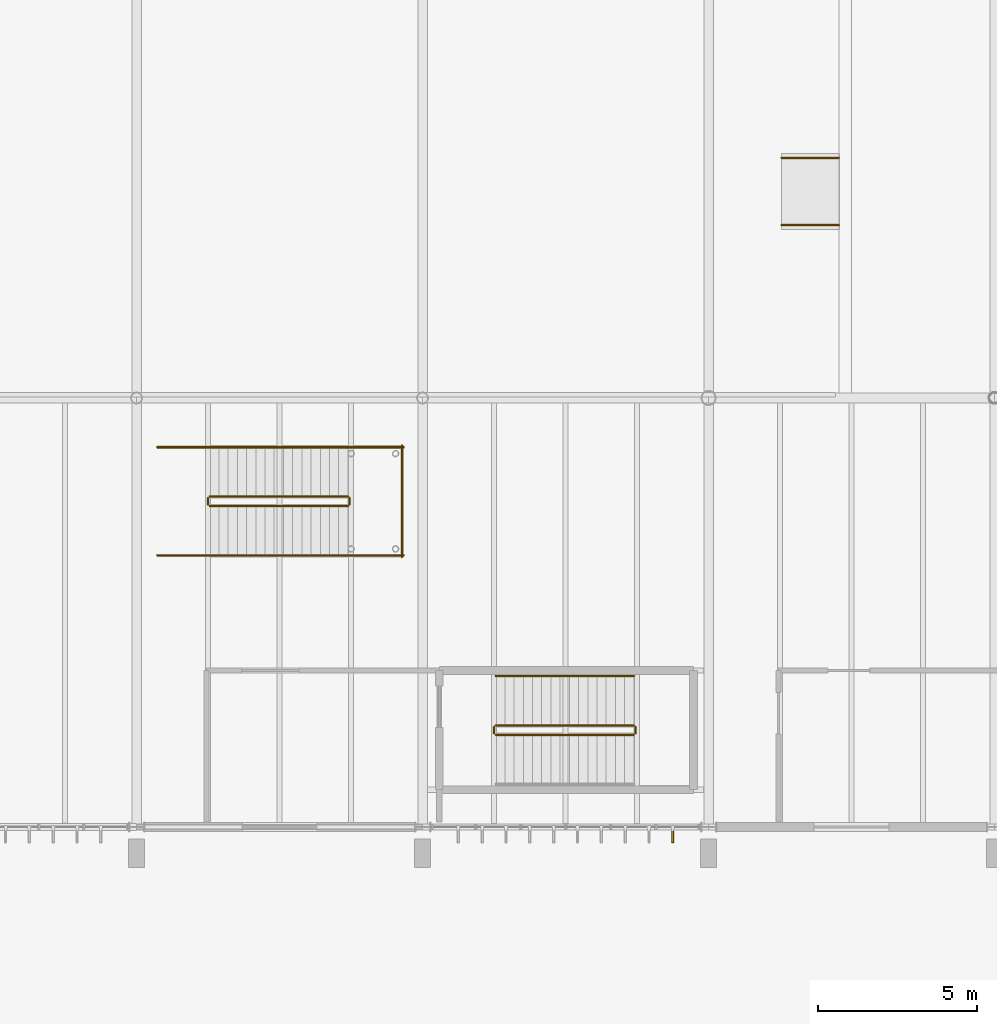
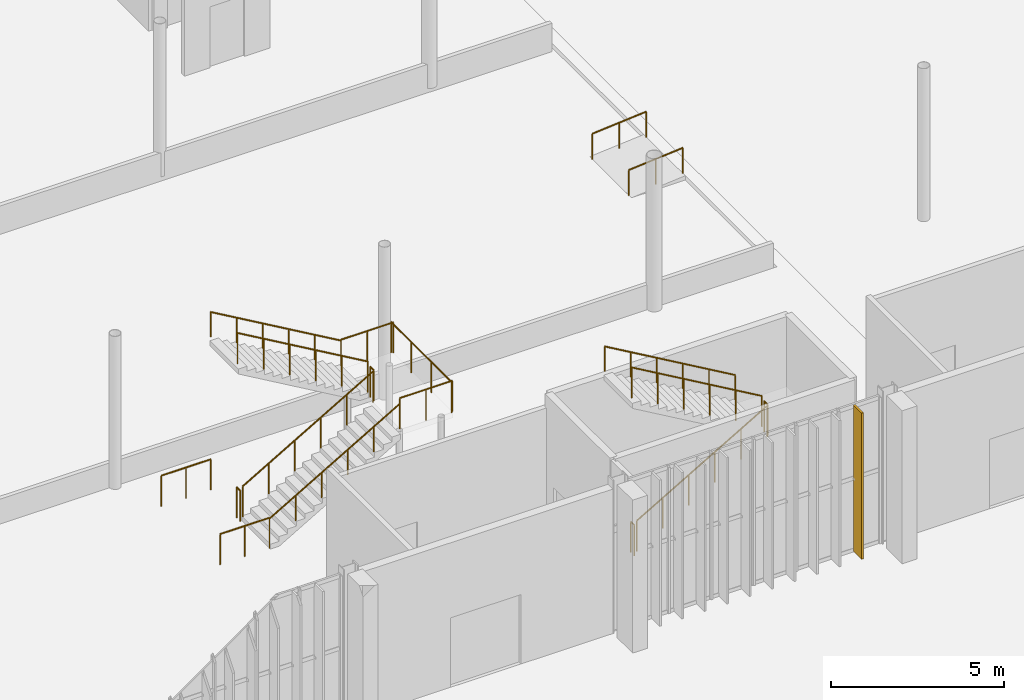
# One storey, part 142 of 158: 18 railings, 1 covering, 1 element without a shape of its own.
"""IFC4 building model written with IfcOpenShell, lengths in metres."""

import ifcopenshell
import ifcopenshell.guid

model = None  # the IFC model being written
_history = None  # IfcOwnerHistory: only IFC2X3 demands one
_inside = {}  # id of a spatial element -> (the spatial element, [elements in it])
_under = {}  # id of a project, library or spatial element -> (it, [spatial elements below it])
_declared = {}  # id of a project -> (the project, [libraries it declares])
_typed = {}  # id of a type object -> (the type object, [elements of that type])
_made_of = {}  # id of a material, layer set ... -> (it, [elements and type objects made of it])


def new_model(schema):
    """Start an empty IFC model of exactly this schema.

    Asked for "IFC4X3", IfcOpenShell would pick the latest addendum, in which some entities
    have other attributes; the version numbers below select the first issue.
    IFC2X3 requires an IfcOwnerHistory on every rooted entity: one is made here for all.
    """
    global model, _history
    if schema == "IFC4X3":
        model = ifcopenshell.file(schema_version=(4, 3, 0, 0))
    else:
        model = ifcopenshell.file(schema=schema)
    _inside.clear()
    _under.clear()
    _declared.clear()
    _typed.clear()
    _made_of.clear()
    _history = None
    if model.schema == "IFC2X3":
        org = make("IfcOrganization", Name="unknown")
        user = make(
            "IfcPersonAndOrganization",
            ThePerson=make("IfcPerson", FamilyName="unknown"),
            TheOrganization=org,
        )
        app = make(
            "IfcApplication",
            ApplicationDeveloper=org,
            Version="unknown",
            ApplicationFullName="unknown",
            ApplicationIdentifier="unknown",
        )
        _history = make(
            "IfcOwnerHistory",
            OwningUser=user,
            OwningApplication=app,
            ChangeAction="ADDED",
            CreationDate=0,
        )
    return model


def make(cls, **values):
    """One entity of the class cls with the attributes given. An attribute that is None is left unset."""
    return model.create_entity(
        cls, **{name: value for name, value in values.items() if value is not None}
    )


def rooted(cls, **values):
    """An entity with a GlobalId (a new one), such as an element, a storey or a relation."""
    return make(cls, GlobalId=ifcopenshell.guid.new(), OwnerHistory=_history, **values)


def si_unit(unit_type, name, prefix=None):
    """IfcSIUnit, for example si_unit("LENGTHUNIT", "METRE", prefix="MILLI")."""
    return make("IfcSIUnit", UnitType=unit_type, Prefix=prefix, Name=name)


def derived_unit(unit_type, elements):
    """IfcDerivedUnit: a product of units, each with its exponent."""
    return make(
        "IfcDerivedUnit",
        Elements=[
            make("IfcDerivedUnitElement", Unit=unit, Exponent=power)
            for unit, power in elements
        ],
        UnitType=unit_type,
    )


def assignment(units):
    """IfcUnitAssignment: the units of a project."""
    return None if units is None else make("IfcUnitAssignment", Units=units)


def point(xyz):
    """IfcCartesianPoint."""
    return None if xyz is None else make("IfcCartesianPoint", Coordinates=xyz)


def direction(xyz):
    """IfcDirection."""
    return None if xyz is None else make("IfcDirection", DirectionRatios=xyz)


def frame(location, z_axis=None, x_axis=None):
    """IfcAxis2Placement3D, a coordinate frame: its origin and axes. An axis left out is left unset."""
    return make(
        "IfcAxis2Placement3D",
        Location=point(location),
        Axis=direction(z_axis),
        RefDirection=direction(x_axis),
    )


def frame_2d(location, x_axis=None):
    """IfcAxis2Placement2D, a coordinate frame in the plane: its origin and x axis."""
    return make(
        "IfcAxis2Placement2D", Location=point(location), RefDirection=direction(x_axis)
    )


def origin():
    """The frame at (0, 0, 0) with its axes left unset."""
    return frame((0.0, 0.0, 0.0))


def origin_2d():
    """The frame at (0, 0) in the plane with its x axis left unset."""
    return frame_2d((0.0, 0.0))


def place(relative_to, where):
    """IfcLocalPlacement: puts the frame where relative to a parent placement (None: the world)."""
    return make(
        "IfcLocalPlacement", PlacementRelTo=relative_to, RelativePlacement=where
    )


def context(
    kind, dimensions, precision=None, world=None, true_north=None, identifier=None
):
    """IfcGeometricRepresentationContext, for example the 3D "Model" context."""
    return make(
        "IfcGeometricRepresentationContext",
        ContextIdentifier=identifier,
        ContextType=kind,
        CoordinateSpaceDimension=dimensions,
        Precision=precision,
        WorldCoordinateSystem=world,
        TrueNorth=true_north,
    )


def subcontext(parent, identifier, kind, view, scale=None):
    """IfcGeometricRepresentationSubContext, for example "Body" below "Model"."""
    return make(
        "IfcGeometricRepresentationSubContext",
        ContextIdentifier=identifier,
        ContextType=kind,
        ParentContext=parent,
        TargetScale=scale,
        TargetView=view,
    )


def project(units=None, contexts=None):
    """IfcProject with its units and contexts."""
    return rooted(
        "IfcProject",
        Name="project",
        RepresentationContexts=contexts,
        UnitsInContext=assignment(units),
    )


def spatial(cls, under=None, at=None, **own):
    """A site, building, storey or space (cls), placed at a placement, below another one or the project."""
    s = rooted(cls, ObjectPlacement=at, **own)
    if under is not None:
        _under.setdefault(under.id(), (under, []))[1].append(s)
    return s


def profile(cls, at=None, kind="AREA", **sizes):
    """A parametric profile (cls). Its sizes go by their IFC names, for example OverallWidth=200.0."""
    return make(cls, ProfileType=kind, Position=at, **sizes)


def rectangle(**sizes):
    """IfcRectangleProfileDef."""
    return profile("IfcRectangleProfileDef", **sizes)


def circle(**sizes):
    """IfcCircleProfileDef."""
    return profile("IfcCircleProfileDef", **sizes)


def extrude(swept, where, along, depth):
    """IfcExtrudedAreaSolid: the profile swept, set in the frame where, extruded along a direction by depth."""
    return make(
        "IfcExtrudedAreaSolid",
        SweptArea=swept,
        Position=where,
        ExtrudedDirection=direction(along),
        Depth=depth,
    )


def shape(context_of_items, identifier, shape_type, items):
    """IfcShapeRepresentation: the items that make up one representation, for example the "Body"."""
    return make(
        "IfcShapeRepresentation",
        ContextOfItems=context_of_items,
        RepresentationIdentifier=identifier,
        RepresentationType=shape_type,
        Items=items,
    )


def material(Name=None, Category=None):
    """IfcMaterial."""
    return make("IfcMaterial", Name=Name, Category=Category)


def layer(
    of_material, thickness, ventilated=None, Name=None, Category=None, Priority=None
):
    """IfcMaterialLayer: one layer of a wall or slab, of a material (None: an air gap)."""
    return make(
        "IfcMaterialLayer",
        Material=of_material,
        LayerThickness=thickness,
        IsVentilated=ventilated,
        Name=Name,
        Category=Category,
        Priority=Priority,
    )


def layer_set(layers, Name=None):
    """IfcMaterialLayerSet."""
    return make("IfcMaterialLayerSet", MaterialLayers=layers, LayerSetName=Name)


def made_of(thing, what):
    """Note that an element or type object is made of a material, layer set ...; save() writes the relation."""
    if what is not None:
        _made_of.setdefault(what.id(), (what, []))[1].append(thing)
    return thing


def type_object(cls, material=None, **own):
    """A type object (cls), such as IfcWallType, which elements share."""
    return made_of(rooted(cls, **own), material)


def element(
    cls,
    number,
    at=None,
    inside=None,
    cuts=None,
    type_object=None,
    material=None,
    context=None,
    identifier="Body",
    shape_type=None,
    held_by="IfcProductDefinitionShape",
    body=None,
    shapes=None,
    **own,
):
    """One element of the class cls, such as IfcWall. Its Tag is "e" and its number.

    at: its placement. inside: the storey or other place that contains it. cuts: it is an
    opening in that element (IfcRelVoidsElement). A single representation is given by context,
    identifier, shape_type and body (its items); several are given by shapes. held_by: the class
    of the entity that holds the representations. save() writes the other relations.
    """
    e = rooted(cls, Tag="e%d" % number, ObjectPlacement=at, **own)
    if body is not None:
        shapes = [shape(context, identifier, shape_type, body)]
    if shapes is not None:
        e.Representation = make(held_by, Representations=shapes)
    if inside is not None:
        _inside.setdefault(inside.id(), (inside, []))[1].append(e)
    if cuts is not None:
        rooted(
            "IfcRelVoidsElement", RelatingBuildingElement=cuts, RelatedOpeningElement=e
        )
    if type_object is not None:
        _typed.setdefault(type_object.id(), (type_object, []))[1].append(e)
    return made_of(e, material)


def aggregate(whole, parts):
    """IfcRelAggregates: a whole, such as a stair, and the parts it consists of."""
    return rooted("IfcRelAggregates", RelatingObject=whole, RelatedObjects=parts)


def save(model, path):
    """Write the relations noted so far, then the file.

    IfcRelAggregates (storeys below a building ...), IfcRelContainedInSpatialStructure (elements
    in a storey), IfcRelDefinesByType, IfcRelAssociatesMaterial and IfcRelDeclares: one each for
    every whole, place, type object, material and project.
    """
    for whole, parts in _under.values():
        aggregate(whole, parts)
    for where, things in _inside.values():
        rooted(
            "IfcRelContainedInSpatialStructure",
            RelatedElements=things,
            RelatingStructure=where,
        )
    for kind, things in _typed.values():
        rooted("IfcRelDefinesByType", RelatedObjects=things, RelatingType=kind)
    for what, things in _made_of.values():
        rooted("IfcRelAssociatesMaterial", RelatedObjects=things, RelatingMaterial=what)
    for by, libraries in _declared.values():
        rooted("IfcRelDeclares", RelatingContext=by, RelatedDefinitions=libraries)
    model.write(path)


model = new_model("IFC4")

# Units and contexts
model_context = context("Model", 3, precision=1e-05, world=origin(), true_north=direction((0.0, 1.0)))
body_context = subcontext(model_context, "Body", "Model", "MODEL_VIEW")
ifc_project = project(units=[si_unit("LENGTHUNIT", "METRE"), si_unit("AREAUNIT", "SQUARE_METRE"), si_unit("VOLUMEUNIT", "CUBIC_METRE"), si_unit("PLANEANGLEUNIT", "RADIAN"), si_unit("MASSUNIT", "GRAM", prefix="KILO"), si_unit("THERMODYNAMICTEMPERATUREUNIT", "KELVIN"), si_unit("TIMEUNIT", "SECOND"), derived_unit("THERMALTRANSMITTANCEUNIT", [(si_unit("MASSUNIT", "GRAM", prefix="KILO"), 1), (si_unit("THERMODYNAMICTEMPERATUREUNIT", "KELVIN"), -1), (si_unit("TIMEUNIT", "SECOND"), -3)])], contexts=[model_context])

# Site, building, storey
site_placement = place(None, origin())
site = spatial("IfcSite", under=ifc_project, at=site_placement, CompositionType="ELEMENT")
building_placement = place(site_placement, origin())
building = spatial("IfcBuilding", under=site, at=building_placement, Name="Cambertide Market Hall", CompositionType="ELEMENT")
storey_placement = place(building_placement, origin())
storey = spatial("IfcBuildingStorey", under=building, at=storey_placement, Name="L01", CompositionType="ELEMENT", Elevation=0.0)

# Ramp, railings
ifc_material_1 = material(Name="Concrete B35", Category="concrete")
ramp_type = type_object("IfcRampType", Name="Interior Wet-Market Washdown Ramp", PredefinedType="STRAIGHT_RUN_RAMP", material=ifc_material_1)
ramp_placement = place(storey_placement, origin())
ramp = element("IfcRamp", 1, at=ramp_placement, inside=storey, type_object=ramp_type, Name="Wet Market Washdown Recess Accessible Ramp PR-05", PredefinedType="STRAIGHT_RUN_RAMP")
ifc_material_2 = material(Name="Stainless Steel Grade 316", Category="metal")
railing_type_1 = type_object("IfcRailingType", Name="Interior Ramp Handrail 920", PredefinedType="HANDRAIL", material=ifc_material_2)
railing_1_placement = place(storey_placement, frame((71.300048828125, 70.944091796875, -0.14990234375)))
railing_1 = element("IfcRailing", 2, at=railing_1_placement, type_object=railing_type_1, Name="Wet Market Washdown Recess Accessible Ramp PR-05 Handrail 1", PredefinedType="HANDRAIL", context=body_context, shape_type="SweptSolid", body=[
    extrude(circle(Radius=0.02392578125, at=origin_2d()), frame((0.0, 0.0, 0.89599609375), z_axis=(0.996550417439, 0.0, 0.082989550564), x_axis=(0.0, 1.0, 0.0)), (0.0, 0.0, 1.0), 1.806396484375),
    extrude(circle(Radius=0.02099609375, at=origin_2d()), origin(), (0.0, 0.0, 1.0), 0.871826171875),
    extrude(circle(Radius=0.02099609375, at=origin_2d()), frame((0.89990234375, 0.0, 0.074951171875)), (0.0, 0.0, 1.0), 0.871826171875),
    extrude(circle(Radius=0.02099609375, at=origin_2d()), frame((1.800048828125, 0.0, 0.14990234375)), (0.0, 0.0, 1.0), 0.871826171875),
])
railing_2_placement = place(storey_placement, frame((71.300048828125, 73.055908203125, -0.14990234375)))
railing_2 = element("IfcRailing", 3, at=railing_2_placement, type_object=railing_type_1, Name="Wet Market Washdown Recess Accessible Ramp PR-05 Handrail 2", PredefinedType="HANDRAIL", context=body_context, shape_type="SweptSolid", body=[
    extrude(circle(Radius=0.02392578125, at=origin_2d()), frame((0.0, 0.0, 0.89599609375), z_axis=(0.996550417439, 0.0, 0.082989550564), x_axis=(0.0, 1.0, 0.0)), (0.0, 0.0, 1.0), 1.806396484375),
    extrude(circle(Radius=0.02099609375, at=origin_2d()), origin(), (0.0, 0.0, 1.0), 0.871826171875),
    extrude(circle(Radius=0.02099609375, at=origin_2d()), frame((0.89990234375, 0.0, 0.074951171875)), (0.0, 0.0, 1.0), 0.871826171875),
    extrude(circle(Radius=0.02099609375, at=origin_2d()), frame((1.800048828125, 0.0, 0.14990234375)), (0.0, 0.0, 1.0), 0.871826171875),
])
aggregate(ramp, [railing_1, railing_2])

# Railings
ifc_material_3 = material(Name="Stainless Steel Grade 316", Category="metal")
railing_type_2 = type_object("IfcRailingType", Name="Stair Wall Handrail 900", PredefinedType="HANDRAIL", material=ifc_material_3)
railing_3_placement = place(storey_placement, frame((66.64990234375, 56.75, 2.86865234375)))
element("IfcRailing", 4, at=railing_3_placement, inside=storey, type_object=railing_type_2, Name="Level 1 ST-02 stair handrail 2", PredefinedType="HANDRAIL", context=body_context, shape_type="SweptSolid", body=[
    extrude(circle(Radius=0.02392578125, at=origin_2d()), frame((0.0, 0.0, 0.8759765625), z_axis=(-0.864311530196, 0.0, 0.502956835891), x_axis=(0.0, -1.0, 0.0)), (0.0, 0.0, 1.0), 5.03271484375),
    extrude(circle(Radius=0.02099609375, at=origin_2d()), origin(), (0.0, 0.0, 1.0), 0.851806640625),
    extrude(circle(Radius=0.02099609375, at=origin_2d()), frame((-0.869873046875, 0.0, 0.50634765625)), (0.0, 0.0, 1.0), 0.851806640625),
    extrude(circle(Radius=0.02099609375, at=origin_2d()), frame((-1.739990234375, 0.0, 1.012451171875)), (0.0, 0.0, 1.0), 0.851806640625),
    extrude(circle(Radius=0.02099609375, at=origin_2d()), frame((-2.60986328125, 0.0, 1.518798828125)), (0.0, 0.0, 1.0), 0.851806640625),
    extrude(circle(Radius=0.02099609375, at=origin_2d()), frame((-3.47998046875, 0.0, 2.02490234375)), (0.0, 0.0, 1.0), 0.851806640625),
    extrude(circle(Radius=0.02099609375, at=origin_2d()), frame((-4.349853515625, 0.0, 2.53125)), (0.0, 0.0, 1.0), 0.851806640625),
])
railing_4_placement = place(storey_placement, frame((53.300048828125, 60.550048828125, 0.168701171875)))
element("IfcRailing", 5, at=railing_4_placement, inside=storey, type_object=railing_type_2, Name="Level 1 ST-10 stair handrail 1", PredefinedType="HANDRAIL", context=body_context, shape_type="SweptSolid", body=[
    extrude(circle(Radius=0.02392578125, at=origin_2d()), frame((0.0, 0.0, 0.8759765625), z_axis=(0.864311530196, 0.0, 0.502956835891), x_axis=(0.0, 1.0, 0.0)), (0.0, 0.0, 1.0), 5.03271484375),
    extrude(circle(Radius=0.02099609375, at=origin_2d()), origin(), (0.0, 0.0, 1.0), 0.851806640625),
    extrude(circle(Radius=0.02099609375, at=origin_2d()), frame((0.869873046875, 0.0, 0.50634765625)), (0.0, 0.0, 1.0), 0.851806640625),
    extrude(circle(Radius=0.02099609375, at=origin_2d()), frame((1.739990234375, 0.0, 1.012451171875)), (0.0, 0.0, 1.0), 0.851806640625),
    extrude(circle(Radius=0.02099609375, at=origin_2d()), frame((2.60986328125, 0.0, 1.518798828125)), (0.0, 0.0, 1.0), 0.851806640625),
    extrude(circle(Radius=0.02099609375, at=origin_2d()), frame((3.47998046875, 0.0, 2.02490234375)), (0.0, 0.0, 1.0), 0.851806640625),
    extrude(circle(Radius=0.02099609375, at=origin_2d()), frame((4.349853515625, 0.0, 2.53125)), (0.0, 0.0, 1.0), 0.851806640625),
])
railing_5_placement = place(storey_placement, frame((57.64990234375, 63.949951171875, 2.86865234375)))
element("IfcRailing", 6, at=railing_5_placement, inside=storey, type_object=railing_type_2, Name="Level 1 ST-10 stair handrail 2", PredefinedType="HANDRAIL", context=body_context, shape_type="SweptSolid", body=[
    extrude(circle(Radius=0.02392578125, at=origin_2d()), frame((0.0, 0.0, 0.8759765625), z_axis=(-0.864311530196, 0.0, 0.502956835891), x_axis=(0.0, -1.0, 0.0)), (0.0, 0.0, 1.0), 5.03271484375),
    extrude(circle(Radius=0.02099609375, at=origin_2d()), origin(), (0.0, 0.0, 1.0), 0.851806640625),
    extrude(circle(Radius=0.02099609375, at=origin_2d()), frame((-0.869873046875, 0.0, 0.50634765625)), (0.0, 0.0, 1.0), 0.851806640625),
    extrude(circle(Radius=0.02099609375, at=origin_2d()), frame((-1.739990234375, 0.0, 1.012451171875)), (0.0, 0.0, 1.0), 0.851806640625),
    extrude(circle(Radius=0.02099609375, at=origin_2d()), frame((-2.60986328125, 0.0, 1.518798828125)), (0.0, 0.0, 1.0), 0.851806640625),
    extrude(circle(Radius=0.02099609375, at=origin_2d()), frame((-3.47998046875, 0.0, 2.02490234375)), (0.0, 0.0, 1.0), 0.851806640625),
    extrude(circle(Radius=0.02099609375, at=origin_2d()), frame((-4.349853515625, 0.0, 2.53125)), (0.0, 0.0, 1.0), 0.851806640625),
])
ifc_material_4 = material(Name="Stainless Steel Grade 316", Category="metal")
railing_type_3 = type_object("IfcRailingType", Name="Stairwell Inner Guardrail 1100", PredefinedType="GUARDRAIL", material=ifc_material_4)
railing_6_placement = place(storey_placement, frame((62.300048828125, 54.89990234375, 0.168701171875)))
element("IfcRailing", 7, at=railing_6_placement, inside=storey, type_object=railing_type_3, Name="Level 1 ST-02 stair guard 1", PredefinedType="GUARDRAIL", context=body_context, shape_type="SweptSolid", body=[
    extrude(circle(Radius=0.02392578125, at=origin_2d()), frame((0.0, 0.0, 1.076171875), z_axis=(0.864311530196, 0.0, 0.502956835891), x_axis=(0.0, 1.0, 0.0)), (0.0, 0.0, 1.0), 5.03271484375),
    extrude(circle(Radius=0.02099609375, at=origin_2d()), origin(), (0.0, 0.0, 1.0), 1.052001953125),
    extrude(circle(Radius=0.02099609375, at=origin_2d()), frame((0.869873046875, 0.0, 0.50634765625)), (0.0, 0.0, 1.0), 1.052001953125),
    extrude(circle(Radius=0.02099609375, at=origin_2d()), frame((1.739990234375, 0.0, 1.012451171875)), (0.0, 0.0, 1.0), 1.052001953125),
    extrude(circle(Radius=0.02099609375, at=origin_2d()), frame((2.60986328125, 0.0, 1.518798828125)), (0.0, 0.0, 1.0), 1.052001953125),
    extrude(circle(Radius=0.02099609375, at=origin_2d()), frame((3.47998046875, 0.0, 2.02490234375)), (0.0, 0.0, 1.0), 1.052001953125),
    extrude(circle(Radius=0.02099609375, at=origin_2d()), frame((4.349853515625, 0.0, 2.53125)), (0.0, 0.0, 1.0), 1.052001953125),
])
railing_7_placement = place(storey_placement, frame((66.699951171875, 54.949951171875, 2.699951171875)))
element("IfcRailing", 8, at=railing_7_placement, inside=storey, type_object=railing_type_3, Name="Level 1 ST-02 stair guard 2", PredefinedType="GUARDRAIL", context=body_context, shape_type="SweptSolid", body=[
    extrude(circle(Radius=0.02392578125, at=origin_2d()), frame((0.0, 0.0, 1.076171875), z_axis=(0.0, 1.0, 0.0), x_axis=(-1.0, 0.0, 0.0)), (0.0, 0.0, 1.0), 0.199951171875),
    extrude(circle(Radius=0.02099609375, at=origin_2d()), origin(), (0.0, 0.0, 1.0), 1.052001953125),
    extrude(circle(Radius=0.02099609375, at=origin_2d()), frame((0.0, 0.199951171875, 0.0)), (0.0, 0.0, 1.0), 1.052001953125),
])
railing_8_placement = place(storey_placement, frame((66.64990234375, 55.199951171875, 2.86865234375)))
element("IfcRailing", 9, at=railing_8_placement, inside=storey, type_object=railing_type_3, Name="Level 1 ST-02 stair guard 3", PredefinedType="GUARDRAIL", context=body_context, shape_type="SweptSolid", body=[
    extrude(circle(Radius=0.02392578125, at=origin_2d()), frame((0.0, 0.0, 1.076171875), z_axis=(-0.864311530196, 0.0, 0.502956835891), x_axis=(0.0, -1.0, 0.0)), (0.0, 0.0, 1.0), 5.03271484375),
    extrude(circle(Radius=0.02099609375, at=origin_2d()), origin(), (0.0, 0.0, 1.0), 1.052001953125),
    extrude(circle(Radius=0.02099609375, at=origin_2d()), frame((-0.869873046875, 0.0, 0.50634765625)), (0.0, 0.0, 1.0), 1.052001953125),
    extrude(circle(Radius=0.02099609375, at=origin_2d()), frame((-1.739990234375, 0.0, 1.012451171875)), (0.0, 0.0, 1.0), 1.052001953125),
    extrude(circle(Radius=0.02099609375, at=origin_2d()), frame((-2.60986328125, 0.0, 1.518798828125)), (0.0, 0.0, 1.0), 1.052001953125),
    extrude(circle(Radius=0.02099609375, at=origin_2d()), frame((-3.47998046875, 0.0, 2.02490234375)), (0.0, 0.0, 1.0), 1.052001953125),
    extrude(circle(Radius=0.02099609375, at=origin_2d()), frame((-4.349853515625, 0.0, 2.53125)), (0.0, 0.0, 1.0), 1.052001953125),
])
railing_9_placement = place(storey_placement, frame((62.25, 54.949951171875, 0.0)))
element("IfcRailing", 10, at=railing_9_placement, inside=storey, type_object=railing_type_3, Name="Level 1 ST-02 stair guard 4", PredefinedType="GUARDRAIL", context=body_context, shape_type="SweptSolid", body=[
    extrude(circle(Radius=0.02392578125, at=origin_2d()), frame((0.0, 0.0, 1.076171875), z_axis=(0.0, 1.0, 0.0), x_axis=(-1.0, 0.0, 0.0)), (0.0, 0.0, 1.0), 0.199951171875),
    extrude(circle(Radius=0.02099609375, at=origin_2d()), origin(), (0.0, 0.0, 1.0), 1.052001953125),
    extrude(circle(Radius=0.02099609375, at=origin_2d()), frame((0.0, 0.199951171875, 0.0)), (0.0, 0.0, 1.0), 1.052001953125),
])
railing_10_placement = place(storey_placement, frame((53.300048828125, 62.10009765625, 0.168701171875)))
element("IfcRailing", 11, at=railing_10_placement, inside=storey, type_object=railing_type_3, Name="Level 1 ST-10 stair guard 1", PredefinedType="GUARDRAIL", context=body_context, shape_type="SweptSolid", body=[
    extrude(circle(Radius=0.02392578125, at=origin_2d()), frame((0.0, 0.0, 1.076171875), z_axis=(0.864311530196, 0.0, 0.502956835891), x_axis=(0.0, 1.0, 0.0)), (0.0, 0.0, 1.0), 5.03271484375),
    extrude(circle(Radius=0.02099609375, at=origin_2d()), origin(), (0.0, 0.0, 1.0), 1.052001953125),
    extrude(circle(Radius=0.02099609375, at=origin_2d()), frame((0.869873046875, 0.0, 0.50634765625)), (0.0, 0.0, 1.0), 1.052001953125),
    extrude(circle(Radius=0.02099609375, at=origin_2d()), frame((1.739990234375, 0.0, 1.012451171875)), (0.0, 0.0, 1.0), 1.052001953125),
    extrude(circle(Radius=0.02099609375, at=origin_2d()), frame((2.60986328125, 0.0, 1.518798828125)), (0.0, 0.0, 1.0), 1.052001953125),
    extrude(circle(Radius=0.02099609375, at=origin_2d()), frame((3.47998046875, 0.0, 2.02490234375)), (0.0, 0.0, 1.0), 1.052001953125),
    extrude(circle(Radius=0.02099609375, at=origin_2d()), frame((4.349853515625, 0.0, 2.53125)), (0.0, 0.0, 1.0), 1.052001953125),
])
railing_11_placement = place(storey_placement, frame((57.699951171875, 62.14990234375, 2.699951171875)))
element("IfcRailing", 12, at=railing_11_placement, inside=storey, type_object=railing_type_3, Name="Level 1 ST-10 stair guard 2", PredefinedType="GUARDRAIL", context=body_context, shape_type="SweptSolid", body=[
    extrude(circle(Radius=0.02392578125, at=origin_2d()), frame((0.0, 0.0, 1.076171875), z_axis=(0.0, 1.0, 0.0), x_axis=(-1.0, 0.0, 0.0)), (0.0, 0.0, 1.0), 0.2001953125),
    extrude(circle(Radius=0.02099609375, at=origin_2d()), origin(), (0.0, 0.0, 1.0), 1.052001953125),
    extrude(circle(Radius=0.02099609375, at=origin_2d()), frame((0.0, 0.2001953125, 0.0)), (0.0, 0.0, 1.0), 1.052001953125),
])
for number, where, name in (
    (13, (57.64990234375, 60.550048828125, 2.699951171875), "Level 1 ST-10 stair guard 3"),
    (14, (57.64990234375, 63.949951171875, 2.699951171875), "Level 1 ST-10 stair guard 4"),
):
    element("IfcRailing", number, at=place(storey_placement, frame(where)), inside=storey, type_object=railing_type_3, Name=name, PredefinedType="GUARDRAIL", context=body_context, shape_type="SweptSolid", body=[
        extrude(circle(Radius=0.02392578125, at=origin_2d()), frame((0.0, 0.0, 1.076171875), z_axis=(1.0, 0.0, 0.0), x_axis=(0.0, 1.0, 0.0)), (0.0, 0.0, 1.0), 1.75),
        extrude(circle(Radius=0.02099609375, at=origin_2d()), origin(), (0.0, 0.0, 1.0), 1.052001953125),
        extrude(circle(Radius=0.02099609375, at=origin_2d()), frame((0.875, 0.0, 0.0)), (0.0, 0.0, 1.0), 1.052001953125),
        extrude(circle(Radius=0.02099609375, at=origin_2d()), frame((1.75, 0.0, 0.0)), (0.0, 0.0, 1.0), 1.052001953125),
    ])
railing_12_placement = place(storey_placement, frame((59.35009765625, 60.5, 2.699951171875)))
element("IfcRailing", 15, at=railing_12_placement, inside=storey, type_object=railing_type_3, Name="Level 1 ST-10 stair guard 5", PredefinedType="GUARDRAIL", context=body_context, shape_type="SweptSolid", body=[
    extrude(circle(Radius=0.02392578125, at=origin_2d()), frame((0.0, 0.0, 1.076171875), z_axis=(0.0, 1.0, 0.0), x_axis=(-1.0, 0.0, 0.0)), (0.0, 0.0, 1.0), 3.5),
    extrude(circle(Radius=0.02099609375, at=origin_2d()), origin(), (0.0, 0.0, 1.0), 1.052001953125),
    extrude(circle(Radius=0.02099609375, at=origin_2d()), frame((0.0, 1.166748046875, 0.0)), (0.0, 0.0, 1.0), 1.052001953125),
    extrude(circle(Radius=0.02099609375, at=origin_2d()), frame((0.0, 2.333251953125, 0.0)), (0.0, 0.0, 1.0), 1.052001953125),
    extrude(circle(Radius=0.02099609375, at=origin_2d()), frame((0.0, 3.5, 0.0)), (0.0, 0.0, 1.0), 1.052001953125),
])
railing_13_placement = place(storey_placement, frame((57.64990234375, 62.39990234375, 2.86865234375)))
element("IfcRailing", 16, at=railing_13_placement, inside=storey, type_object=railing_type_3, Name="Level 1 ST-10 stair guard 6", PredefinedType="GUARDRAIL", context=body_context, shape_type="SweptSolid", body=[
    extrude(circle(Radius=0.02392578125, at=origin_2d()), frame((0.0, 0.0, 1.076171875), z_axis=(-0.864311530196, 0.0, 0.502956835891), x_axis=(0.0, -1.0, 0.0)), (0.0, 0.0, 1.0), 5.03271484375),
    extrude(circle(Radius=0.02099609375, at=origin_2d()), origin(), (0.0, 0.0, 1.0), 1.052001953125),
    extrude(circle(Radius=0.02099609375, at=origin_2d()), frame((-0.869873046875, 0.0, 0.50634765625)), (0.0, 0.0, 1.0), 1.052001953125),
    extrude(circle(Radius=0.02099609375, at=origin_2d()), frame((-1.739990234375, 0.0, 1.012451171875)), (0.0, 0.0, 1.0), 1.052001953125),
    extrude(circle(Radius=0.02099609375, at=origin_2d()), frame((-2.60986328125, 0.0, 1.518798828125)), (0.0, 0.0, 1.0), 1.052001953125),
    extrude(circle(Radius=0.02099609375, at=origin_2d()), frame((-3.47998046875, 0.0, 2.02490234375)), (0.0, 0.0, 1.0), 1.052001953125),
    extrude(circle(Radius=0.02099609375, at=origin_2d()), frame((-4.349853515625, 0.0, 2.53125)), (0.0, 0.0, 1.0), 1.052001953125),
])
railing_14_placement = place(storey_placement, frame((53.25, 62.14990234375, 0.0)))
element("IfcRailing", 17, at=railing_14_placement, inside=storey, type_object=railing_type_3, Name="Level 1 ST-10 stair guard 7", PredefinedType="GUARDRAIL", context=body_context, shape_type="SweptSolid", body=[
    extrude(circle(Radius=0.02392578125, at=origin_2d()), frame((0.0, 0.0, 1.076171875), z_axis=(0.0, 1.0, 0.0), x_axis=(-1.0, 0.0, 0.0)), (0.0, 0.0, 1.0), 0.2001953125),
    extrude(circle(Radius=0.02099609375, at=origin_2d()), origin(), (0.0, 0.0, 1.0), 1.052001953125),
    extrude(circle(Radius=0.02099609375, at=origin_2d()), frame((0.0, 0.2001953125, 0.0)), (0.0, 0.0, 1.0), 1.052001953125),
])
for number, where, name in (
    (18, (51.64990234375, 60.550048828125, 0.0), "Level 1 ST-10 stair guard 8"),
    (19, (51.64990234375, 63.949951171875, 0.0), "Level 1 ST-10 stair guard 9"),
):
    element("IfcRailing", number, at=place(storey_placement, frame(where)), inside=storey, type_object=railing_type_3, Name=name, PredefinedType="GUARDRAIL", context=body_context, shape_type="SweptSolid", body=[
        extrude(circle(Radius=0.02392578125, at=origin_2d()), frame((0.0, 0.0, 1.076171875), z_axis=(1.0, 0.0, 0.0), x_axis=(0.0, 1.0, 0.0)), (0.0, 0.0, 1.0), 1.650146484375),
        extrude(circle(Radius=0.02099609375, at=origin_2d()), origin(), (0.0, 0.0, 1.0), 1.052001953125),
        extrude(circle(Radius=0.02099609375, at=origin_2d()), frame((0.8251953125, 0.0, 0.0)), (0.0, 0.0, 1.0), 1.052001953125),
        extrude(circle(Radius=0.02099609375, at=origin_2d()), frame((1.650146484375, 0.0, 0.0)), (0.0, 0.0, 1.0), 1.052001953125),
    ])

# Covering
ifc_material_5 = material(Name="White Marine Anodized Aluminium 6063-T6 AA25", Category="aluminium")
ifc_layer = layer(ifc_material_5, 0.06005859375, Name="White Anodized Lantern Vertical Fin 480x60")
ifc_layer_set = layer_set([ifc_layer], Name="White Marine Anodized Aluminium 6063-T6 AA25")
covering_type = type_object("IfcCoveringType", Name="White Anodized Lantern Vertical Fin 480x60", PredefinedType="CLADDING", material=ifc_layer_set)
covering_placement = place(storey_placement, frame((67.875, 51.739990234375, 0.0), z_axis=(0.0, 0.0, 1.0), x_axis=(-1.0, 0.0, 0.0)))
element("IfcCovering", 20, at=covering_placement, inside=storey, type_object=covering_type, Name="CW-V1S-L01-3 Vertical Fin 1", PredefinedType="CLADDING", context=body_context, shape_type="SweptSolid", body=[
    extrude(rectangle(XDim=0.06005859375, YDim=0.47998046875, at=origin_2d()), origin(), (0.0, 0.0, 1.0), 5.159912109375),
])

save(model, "model.ifc")
